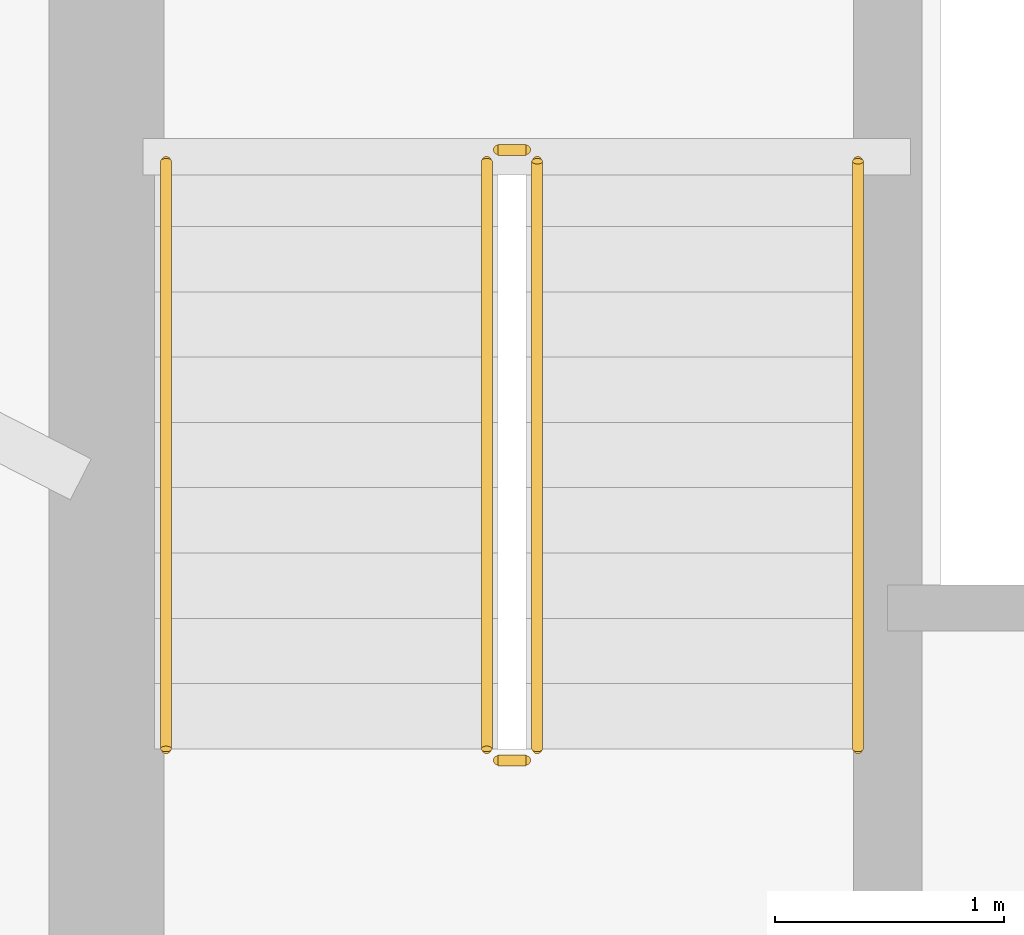
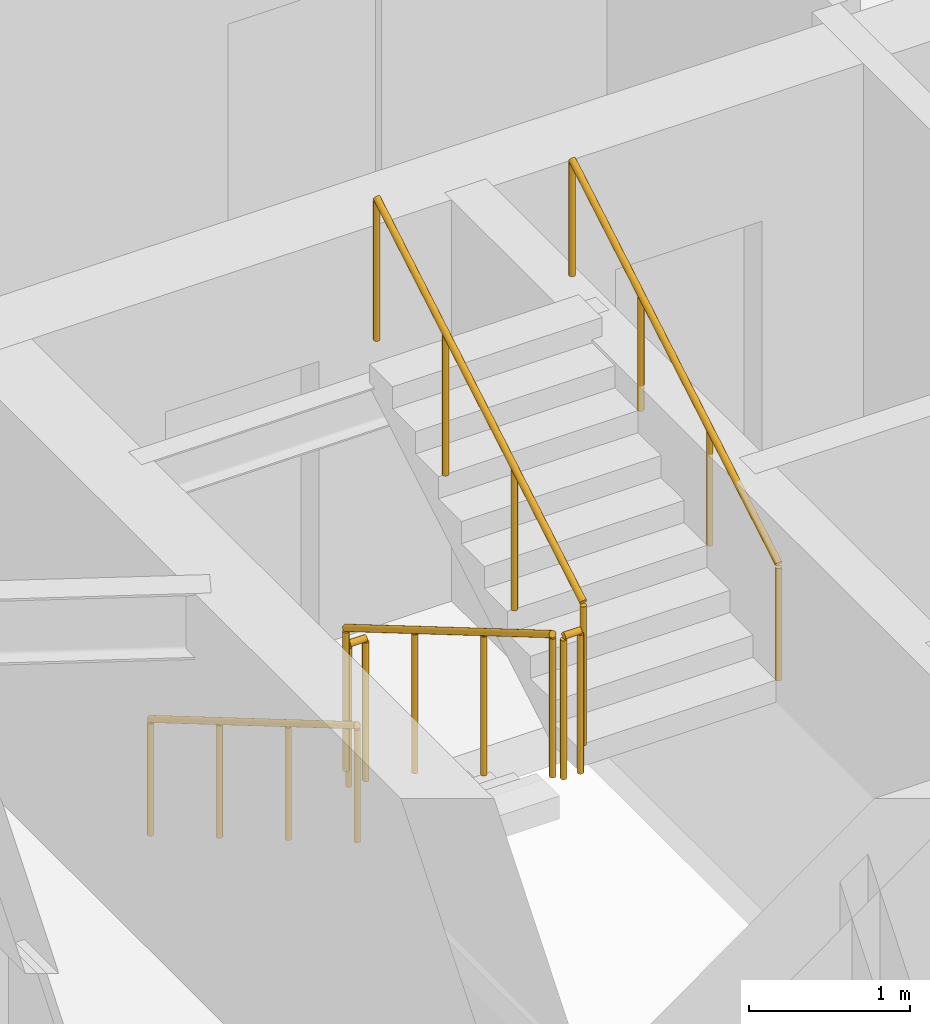
# One storey, part 16 of 17: 6 railings.
"""IFC4 building model written with IfcOpenShell, lengths in metres."""

from ifc_helpers import new_model, si_unit, direction, frame, origin, origin_2d, place, context, subcontext, project, spatial, circle, extrude, material, type_object, element, save


model = new_model("IFC4")

# Units and contexts
model_context = context("Model", 3, precision=1e-05, world=origin(), true_north=direction((0.0, 1.0)))
body_context = subcontext(model_context, "Body", "Model", "MODEL_VIEW")
ifc_project = project(units=[si_unit("LENGTHUNIT", "METRE"), si_unit("AREAUNIT", "SQUARE_METRE"), si_unit("VOLUMEUNIT", "CUBIC_METRE"), si_unit("PLANEANGLEUNIT", "RADIAN"), si_unit("MASSUNIT", "GRAM", prefix="KILO")], contexts=[model_context])

# Site, building, storey
site_placement = place(None, origin())
site = spatial("IfcSite", under=ifc_project, at=site_placement, CompositionType="ELEMENT")
building_placement = place(site_placement, origin())
building = spatial("IfcBuilding", under=site, at=building_placement, Name="Qobustan Lattice House", CompositionType="ELEMENT")
storey_placement = place(building_placement, frame((0.0, 0.0, 167.85009765625)))
storey = spatial("IfcBuildingStorey", under=building, at=storey_placement, Name="L47", CompositionType="ELEMENT", Elevation=167.85009765625)

# Railings
ifc_material_1 = material(Name="Brushed stainless steel handrail", Category="steel")
railing_type_1 = type_object("IfcRailingType", Name="RAL-HR-920", PredefinedType="HANDRAIL", material=ifc_material_1)
railing_1_placement = place(storey_placement, frame((-18.199951171875, 3.5, 0.16748046875)))
element("IfcRailing", 1, at=railing_1_placement, inside=storey, type_object=railing_type_1, Name="L47 ST-W1 stair handrail 1", PredefinedType="HANDRAIL", context=body_context, shape_type="SweptSolid", body=[
    extrude(circle(Radius=0.02392578125, at=origin_2d()), frame((0.0, 0.0, 0.8759765625), z_axis=(0.0, -0.862149314443, 0.506654280161), x_axis=(1.0, 0.0, 0.0)), (0.0, 0.0, 1.0), 2.97509765625),
    extrude(circle(Radius=0.02099609375, at=origin_2d()), origin(), (0.0, 0.0, 1.0), 0.851806640625),
    extrude(circle(Radius=0.02099609375, at=origin_2d()), frame((0.0, -0.85498046875, 0.50244140625)), (0.0, 0.0, 1.0), 0.851806640625),
    extrude(circle(Radius=0.02099609375, at=origin_2d()), frame((0.0, -1.7099609375, 1.0048828125)), (0.0, 0.0, 1.0), 0.851806640625),
    extrude(circle(Radius=0.02099609375, at=origin_2d()), frame((0.0, -2.56494140625, 1.50732421875)), (0.0, 0.0, 1.0), 0.851806640625),
])
railing_2_placement = place(storey_placement, frame((-15.179931640625, 0.93505859375, 1.84228515625)))
element("IfcRailing", 2, at=railing_2_placement, inside=storey, type_object=railing_type_1, Name="L47 ST-W1 stair handrail 2", PredefinedType="HANDRAIL", context=body_context, shape_type="SweptSolid", body=[
    extrude(circle(Radius=0.02392578125, at=origin_2d()), frame((0.0, 0.0, 0.8759765625), z_axis=(0.0, 0.862113467892, 0.50671527358), x_axis=(-1.0, 0.0, 0.0)), (0.0, 0.0, 1.0), 2.97509765625),
    extrude(circle(Radius=0.02099609375, at=origin_2d()), origin(), (0.0, 0.0, 1.0), 0.851806640625),
    extrude(circle(Radius=0.02099609375, at=origin_2d()), frame((0.0, 0.85498046875, 0.50244140625)), (0.0, 0.0, 1.0), 0.851806640625),
    extrude(circle(Radius=0.02099609375, at=origin_2d()), frame((0.0, 1.7099609375, 1.005126953125)), (0.0, 0.0, 1.0), 0.851806640625),
    extrude(circle(Radius=0.02099609375, at=origin_2d()), frame((0.0, 2.56494140625, 1.507568359375)), (0.0, 0.0, 1.0), 0.851806640625),
])
ifc_material_2 = material(Name="Painted galvanized steel guardrail", Category="steel")
railing_type_2 = type_object("IfcRailingType", Name="RAL-STG-1150", PredefinedType="GUARDRAIL", material=ifc_material_2)
railing_3_placement = place(storey_placement, frame((-16.800048828125, 3.5, 0.16748046875)))
element("IfcRailing", 3, at=railing_3_placement, inside=storey, type_object=railing_type_2, Name="L47 ST-W1 stair guard 1", PredefinedType="GUARDRAIL", context=body_context, shape_type="SweptSolid", body=[
    extrude(circle(Radius=0.02392578125, at=origin_2d()), frame((0.0, 0.0, 1.076171875), z_axis=(0.0, -0.862149314443, 0.506654280161), x_axis=(1.0, 0.0, 0.0)), (0.0, 0.0, 1.0), 2.97509765625),
    extrude(circle(Radius=0.02099609375, at=origin_2d()), origin(), (0.0, 0.0, 1.0), 1.052001953125),
    extrude(circle(Radius=0.02099609375, at=origin_2d()), frame((0.0, -0.85498046875, 0.50244140625)), (0.0, 0.0, 1.0), 1.052001953125),
    extrude(circle(Radius=0.02099609375, at=origin_2d()), frame((0.0, -1.7099609375, 1.0048828125)), (0.0, 0.0, 1.0), 1.052001953125),
    extrude(circle(Radius=0.02099609375, at=origin_2d()), frame((0.0, -2.56494140625, 1.50732421875)), (0.0, 0.0, 1.0), 1.052001953125),
])
railing_4_placement = place(storey_placement, frame((-16.75, 0.885009765625, 1.6748046875)))
element("IfcRailing", 4, at=railing_4_placement, inside=storey, type_object=railing_type_2, Name="L47 ST-W1 stair guard 2", PredefinedType="GUARDRAIL", context=body_context, shape_type="SweptSolid", body=[
    extrude(circle(Radius=0.02392578125, at=origin_2d()), frame((0.0, 0.0, 1.076171875), z_axis=(1.0, 0.0, 0.0), x_axis=(0.0, 1.0, 0.0)), (0.0, 0.0, 1.0), 0.1201171875),
    extrude(circle(Radius=0.02099609375, at=origin_2d()), origin(), (0.0, 0.0, 1.0), 1.052001953125),
    extrude(circle(Radius=0.02099609375, at=origin_2d()), frame((0.1201171875, 0.0, 0.0)), (0.0, 0.0, 1.0), 1.052001953125),
])
railing_5_placement = place(storey_placement, frame((-16.580078125, 0.93505859375, 1.84228515625)))
element("IfcRailing", 5, at=railing_5_placement, inside=storey, type_object=railing_type_2, Name="L47 ST-W1 stair guard 3", PredefinedType="GUARDRAIL", context=body_context, shape_type="SweptSolid", body=[
    extrude(circle(Radius=0.02392578125, at=origin_2d()), frame((0.0, 0.0, 1.076171875), z_axis=(0.0, 0.862113467892, 0.50671527358), x_axis=(-1.0, 0.0, 0.0)), (0.0, 0.0, 1.0), 2.97509765625),
    extrude(circle(Radius=0.02099609375, at=origin_2d()), origin(), (0.0, 0.0, 1.0), 1.052001953125),
    extrude(circle(Radius=0.02099609375, at=origin_2d()), frame((0.0, 0.85498046875, 0.50244140625)), (0.0, 0.0, 1.0), 1.052001953125),
    extrude(circle(Radius=0.02099609375, at=origin_2d()), frame((0.0, 1.7099609375, 1.005126953125)), (0.0, 0.0, 1.0), 1.052001953125),
    extrude(circle(Radius=0.02099609375, at=origin_2d()), frame((0.0, 2.56494140625, 1.507568359375)), (0.0, 0.0, 1.0), 1.052001953125),
])
railing_6_placement = place(storey_placement, frame((-16.75, 3.550048828125, 0.0)))
element("IfcRailing", 6, at=railing_6_placement, inside=storey, type_object=railing_type_2, Name="L47 ST-W1 stair guard 4", PredefinedType="GUARDRAIL", context=body_context, shape_type="SweptSolid", body=[
    extrude(circle(Radius=0.02392578125, at=origin_2d()), frame((0.0, 0.0, 1.076171875), z_axis=(1.0, 0.0, 0.0), x_axis=(0.0, 1.0, 0.0)), (0.0, 0.0, 1.0), 0.1201171875),
    extrude(circle(Radius=0.02099609375, at=origin_2d()), origin(), (0.0, 0.0, 1.0), 1.052001953125),
    extrude(circle(Radius=0.02099609375, at=origin_2d()), frame((0.1201171875, 0.0, 0.0)), (0.0, 0.0, 1.0), 1.052001953125),
])

save(model, "model.ifc")
